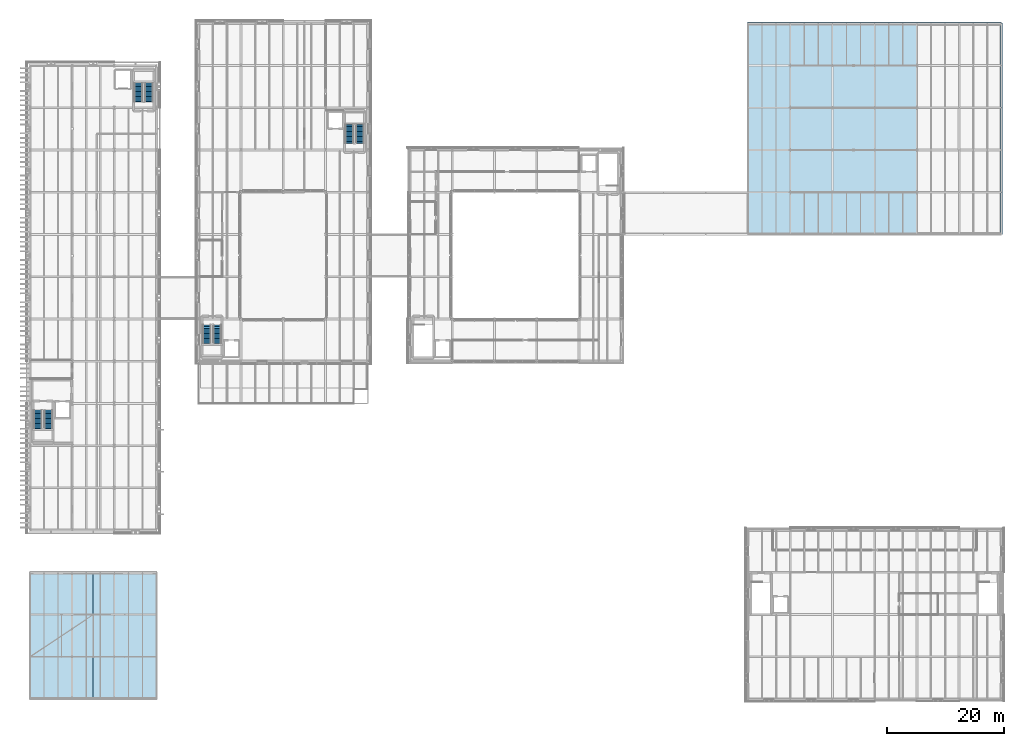
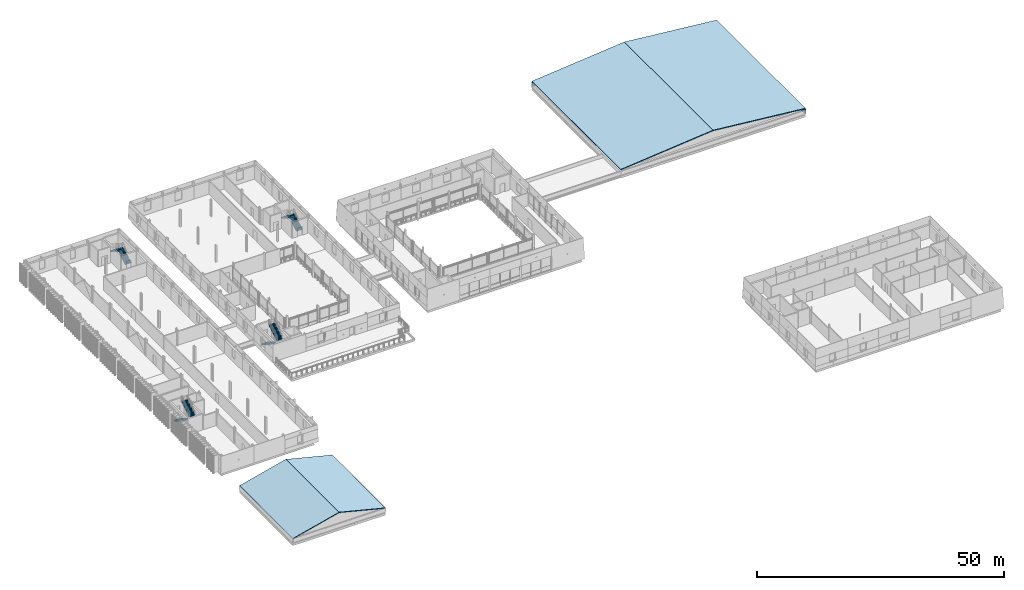
# One storey, part 67 of 91: 8 stair flights, 4 roofs, 2 walls, 4 elements without a shape of their own.
"""IFC4 building model written with IfcOpenShell, lengths in metres."""

import ifcopenshell
import ifcopenshell.guid

model = None  # the IFC model being written
_history = None  # IfcOwnerHistory: only IFC2X3 demands one
_inside = {}  # id of a spatial element -> (the spatial element, [elements in it])
_under = {}  # id of a project, library or spatial element -> (it, [spatial elements below it])
_declared = {}  # id of a project -> (the project, [libraries it declares])
_typed = {}  # id of a type object -> (the type object, [elements of that type])
_made_of = {}  # id of a material, layer set ... -> (it, [elements and type objects made of it])


def new_model(schema):
    """Start an empty IFC model of exactly this schema.

    Asked for "IFC4X3", IfcOpenShell would pick the latest addendum, in which some entities
    have other attributes; the version numbers below select the first issue.
    IFC2X3 requires an IfcOwnerHistory on every rooted entity: one is made here for all.
    """
    global model, _history
    if schema == "IFC4X3":
        model = ifcopenshell.file(schema_version=(4, 3, 0, 0))
    else:
        model = ifcopenshell.file(schema=schema)
    _inside.clear()
    _under.clear()
    _declared.clear()
    _typed.clear()
    _made_of.clear()
    _history = None
    if model.schema == "IFC2X3":
        org = make("IfcOrganization", Name="unknown")
        user = make(
            "IfcPersonAndOrganization",
            ThePerson=make("IfcPerson", FamilyName="unknown"),
            TheOrganization=org,
        )
        app = make(
            "IfcApplication",
            ApplicationDeveloper=org,
            Version="unknown",
            ApplicationFullName="unknown",
            ApplicationIdentifier="unknown",
        )
        _history = make(
            "IfcOwnerHistory",
            OwningUser=user,
            OwningApplication=app,
            ChangeAction="ADDED",
            CreationDate=0,
        )
    return model


def make(cls, **values):
    """One entity of the class cls with the attributes given. An attribute that is None is left unset."""
    return model.create_entity(
        cls, **{name: value for name, value in values.items() if value is not None}
    )


def rooted(cls, **values):
    """An entity with a GlobalId (a new one), such as an element, a storey or a relation."""
    return make(cls, GlobalId=ifcopenshell.guid.new(), OwnerHistory=_history, **values)


def si_unit(unit_type, name, prefix=None):
    """IfcSIUnit, for example si_unit("LENGTHUNIT", "METRE", prefix="MILLI")."""
    return make("IfcSIUnit", UnitType=unit_type, Prefix=prefix, Name=name)


def assignment(units):
    """IfcUnitAssignment: the units of a project."""
    return None if units is None else make("IfcUnitAssignment", Units=units)


def point(xyz):
    """IfcCartesianPoint."""
    return None if xyz is None else make("IfcCartesianPoint", Coordinates=xyz)


def direction(xyz):
    """IfcDirection."""
    return None if xyz is None else make("IfcDirection", DirectionRatios=xyz)


def frame(location, z_axis=None, x_axis=None):
    """IfcAxis2Placement3D, a coordinate frame: its origin and axes. An axis left out is left unset."""
    return make(
        "IfcAxis2Placement3D",
        Location=point(location),
        Axis=direction(z_axis),
        RefDirection=direction(x_axis),
    )


def frame_2d(location, x_axis=None):
    """IfcAxis2Placement2D, a coordinate frame in the plane: its origin and x axis."""
    return make(
        "IfcAxis2Placement2D", Location=point(location), RefDirection=direction(x_axis)
    )


def origin():
    """The frame at (0, 0, 0) with its axes left unset."""
    return frame((0.0, 0.0, 0.0))


def place(relative_to, where):
    """IfcLocalPlacement: puts the frame where relative to a parent placement (None: the world)."""
    return make(
        "IfcLocalPlacement", PlacementRelTo=relative_to, RelativePlacement=where
    )


def context(
    kind, dimensions, precision=None, world=None, true_north=None, identifier=None
):
    """IfcGeometricRepresentationContext, for example the 3D "Model" context."""
    return make(
        "IfcGeometricRepresentationContext",
        ContextIdentifier=identifier,
        ContextType=kind,
        CoordinateSpaceDimension=dimensions,
        Precision=precision,
        WorldCoordinateSystem=world,
        TrueNorth=true_north,
    )


def subcontext(parent, identifier, kind, view, scale=None):
    """IfcGeometricRepresentationSubContext, for example "Body" below "Model"."""
    return make(
        "IfcGeometricRepresentationSubContext",
        ContextIdentifier=identifier,
        ContextType=kind,
        ParentContext=parent,
        TargetScale=scale,
        TargetView=view,
    )


def project(units=None, contexts=None):
    """IfcProject with its units and contexts."""
    return rooted(
        "IfcProject",
        Name="project",
        RepresentationContexts=contexts,
        UnitsInContext=assignment(units),
    )


def spatial(cls, under=None, at=None, **own):
    """A site, building, storey or space (cls), placed at a placement, below another one or the project."""
    s = rooted(cls, ObjectPlacement=at, **own)
    if under is not None:
        _under.setdefault(under.id(), (under, []))[1].append(s)
    return s


def polyline(points):
    """IfcPolyline through the points."""
    return make("IfcPolyline", Points=[point(p) for p in points])


def profile(cls, at=None, kind="AREA", **sizes):
    """A parametric profile (cls). Its sizes go by their IFC names, for example OverallWidth=200.0."""
    return make(cls, ProfileType=kind, Position=at, **sizes)


def rectangle(**sizes):
    """IfcRectangleProfileDef."""
    return profile("IfcRectangleProfileDef", **sizes)


def outline(outer, holes=None, kind="AREA"):
    """IfcArbitraryClosedProfileDef: a profile drawn as a closed curve; with holes, ...WithVoids."""
    if holes is None:
        return make("IfcArbitraryClosedProfileDef", ProfileType=kind, OuterCurve=outer)
    return make(
        "IfcArbitraryProfileDefWithVoids",
        ProfileType=kind,
        OuterCurve=outer,
        InnerCurves=holes,
    )


def extrude(swept, where, along, depth):
    """IfcExtrudedAreaSolid: the profile swept, set in the frame where, extruded along a direction by depth."""
    return make(
        "IfcExtrudedAreaSolid",
        SweptArea=swept,
        Position=where,
        ExtrudedDirection=direction(along),
        Depth=depth,
    )


def shape(context_of_items, identifier, shape_type, items):
    """IfcShapeRepresentation: the items that make up one representation, for example the "Body"."""
    return make(
        "IfcShapeRepresentation",
        ContextOfItems=context_of_items,
        RepresentationIdentifier=identifier,
        RepresentationType=shape_type,
        Items=items,
    )


def material(Name=None, Category=None):
    """IfcMaterial."""
    return make("IfcMaterial", Name=Name, Category=Category)


def layer(
    of_material, thickness, ventilated=None, Name=None, Category=None, Priority=None
):
    """IfcMaterialLayer: one layer of a wall or slab, of a material (None: an air gap)."""
    return make(
        "IfcMaterialLayer",
        Material=of_material,
        LayerThickness=thickness,
        IsVentilated=ventilated,
        Name=Name,
        Category=Category,
        Priority=Priority,
    )


def layer_set(layers, Name=None):
    """IfcMaterialLayerSet."""
    return make("IfcMaterialLayerSet", MaterialLayers=layers, LayerSetName=Name)


def made_of(thing, what):
    """Note that an element or type object is made of a material, layer set ...; save() writes the relation."""
    if what is not None:
        _made_of.setdefault(what.id(), (what, []))[1].append(thing)
    return thing


def type_object(cls, material=None, **own):
    """A type object (cls), such as IfcWallType, which elements share."""
    return made_of(rooted(cls, **own), material)


def element(
    cls,
    number,
    at=None,
    inside=None,
    cuts=None,
    type_object=None,
    material=None,
    context=None,
    identifier="Body",
    shape_type=None,
    held_by="IfcProductDefinitionShape",
    body=None,
    shapes=None,
    **own,
):
    """One element of the class cls, such as IfcWall. Its Tag is "e" and its number.

    at: its placement. inside: the storey or other place that contains it. cuts: it is an
    opening in that element (IfcRelVoidsElement). A single representation is given by context,
    identifier, shape_type and body (its items); several are given by shapes. held_by: the class
    of the entity that holds the representations. save() writes the other relations.
    """
    e = rooted(cls, Tag="e%d" % number, ObjectPlacement=at, **own)
    if body is not None:
        shapes = [shape(context, identifier, shape_type, body)]
    if shapes is not None:
        e.Representation = make(held_by, Representations=shapes)
    if inside is not None:
        _inside.setdefault(inside.id(), (inside, []))[1].append(e)
    if cuts is not None:
        rooted(
            "IfcRelVoidsElement", RelatingBuildingElement=cuts, RelatedOpeningElement=e
        )
    if type_object is not None:
        _typed.setdefault(type_object.id(), (type_object, []))[1].append(e)
    return made_of(e, material)


def aggregate(whole, parts):
    """IfcRelAggregates: a whole, such as a stair, and the parts it consists of."""
    return rooted("IfcRelAggregates", RelatingObject=whole, RelatedObjects=parts)


def save(model, path):
    """Write the relations noted so far, then the file.

    IfcRelAggregates (storeys below a building ...), IfcRelContainedInSpatialStructure (elements
    in a storey), IfcRelDefinesByType, IfcRelAssociatesMaterial and IfcRelDeclares: one each for
    every whole, place, type object, material and project.
    """
    for whole, parts in _under.values():
        aggregate(whole, parts)
    for where, things in _inside.values():
        rooted(
            "IfcRelContainedInSpatialStructure",
            RelatedElements=things,
            RelatingStructure=where,
        )
    for kind, things in _typed.values():
        rooted("IfcRelDefinesByType", RelatedObjects=things, RelatingType=kind)
    for what, things in _made_of.values():
        rooted("IfcRelAssociatesMaterial", RelatedObjects=things, RelatingMaterial=what)
    for by, libraries in _declared.values():
        rooted("IfcRelDeclares", RelatingContext=by, RelatedDefinitions=libraries)
    model.write(path)


model = new_model("IFC4")

# Units and contexts
model_context = context("Model", 3, precision=1e-05, world=origin(), true_north=direction((0.0, 1.0)))
body_context = subcontext(model_context, "Body", "Model", "MODEL_VIEW")
ifc_project = project(units=[si_unit("LENGTHUNIT", "METRE"), si_unit("AREAUNIT", "SQUARE_METRE"), si_unit("VOLUMEUNIT", "CUBIC_METRE"), si_unit("PLANEANGLEUNIT", "RADIAN"), si_unit("MASSUNIT", "GRAM", prefix="KILO")], contexts=[model_context])

# Site, building, storey
site_placement = place(None, origin())
site = spatial("IfcSite", under=ifc_project, at=site_placement, CompositionType="ELEMENT")
building_placement = place(site_placement, origin())
building = spatial("IfcBuilding", under=site, at=building_placement, Name="Narikvali Park Central Library", CompositionType="ELEMENT")
storey_placement = place(building_placement, frame((0.0, 0.0, 14.39990234375)))
storey = spatial("IfcBuildingStorey", under=building, at=storey_placement, Name="L03", CompositionType="ELEMENT", Elevation=14.39990234375)

# Walls
ifc_material_1 = material(Name="White Honed Limestone over Concrete C35/45", Category="masonry")
ifc_layer_1 = layer(ifc_material_1, 0.300048828125, Name="White Honed Limestone over Concrete C35/45")
ifc_layer_set_1 = layer_set([ifc_layer_1], Name="White Honed Limestone over Concrete C35/45")
wall_type = type_object("IfcWallType", Name="Limestone Coping Parapet Wall 300", PredefinedType="PARAPET", material=ifc_layer_set_1)
wall_1_placement = place(storey_placement, frame((165.60009765625, 79.199951171875, 0.0), z_axis=(0.0, 0.0, 1.0), x_axis=(0.0, 1.0, 0.0)))
element("IfcWall", 1, at=wall_1_placement, inside=storey, type_object=wall_type, Name="V3 L03 Roof Limestone Parapet E", PredefinedType="PARAPET", context=body_context, shape_type="SweptSolid", body=[
    extrude(rectangle(XDim=36.0, YDim=0.300048828125, at=frame_2d((18.0, 0.0))), origin(), (0.0, 0.0, 1.0), 0.9501953125),
])
wall_2_placement = place(storey_placement, frame((165.60009765625, 115.199951171875, 0.0), z_axis=(0.0, 0.0, 1.0), x_axis=(-1.0, 0.0, 0.0)))
element("IfcWall", 2, at=wall_2_placement, inside=storey, type_object=wall_type, Name="V3 L03 Roof Limestone Parapet N", PredefinedType="PARAPET", context=body_context, shape_type="SweptSolid", body=[
    extrude(rectangle(XDim=43.2001953125, YDim=0.300048828125, at=frame_2d((21.60009765625, 0.0))), origin(), (0.0, 0.0, 1.0), 0.9501953125),
])

# Stair, stair flights
ifc_material_2 = material(Name="Concrete C35/45", Category="concrete")
stair_type = type_object("IfcStairType", Name="Core Enclosed Two-Flight Exit Stair", PredefinedType="HALF_TURN_STAIR", material=ifc_material_2)
stair_1_placement = place(storey_placement, origin())
stair_1 = element("IfcStair", 3, at=stair_1_placement, inside=storey, type_object=stair_type, Name="L03 Exit Stair ST-07", PredefinedType="HALF_TURN_STAIR")
ifc_material_3 = material(Name="Precast concrete C40/50", Category="concrete")
stair_flight_type = type_object("IfcStairFlightType", Name="Precast Concrete Stair Flight 1420", PredefinedType="STRAIGHT", material=ifc_material_3)
stair_flight_1_placement = place(storey_placement, frame((30.159912109375, 63.75, 0.0), z_axis=(0.0, 0.0, 1.0), x_axis=(0.0, -1.0, 0.0)))
stair_flight_1 = element("IfcStairFlight", 4, at=stair_flight_1_placement, type_object=stair_flight_type, Name="ST-07 flight 1", NumberOfRisers=12, NumberOfTreads=11, PredefinedType="STRAIGHT", RiserHeight=0.175, TreadLength=0.285, context=body_context, shape_type="SweptSolid", body=[
    extrude(outline(polyline([(-0.0400390625, -0.02490234375), (-0.0400390625, 0.0), (0.0, 0.0), (0.0, 0.175048828125), (0.284912109375, 0.175048828125), (0.284912109375, 0.35009765625), (0.570068359375, 0.35009765625), (0.570068359375, 0.52490234375), (0.85498046875, 0.52490234375), (0.85498046875, 0.699951171875), (1.139892578125, 0.699951171875), (1.139892578125, 0.875), (1.425048828125, 0.875), (1.425048828125, 1.050048828125), (1.7099609375, 1.050048828125), (1.7099609375, 1.22509765625), (1.9951171875, 1.22509765625), (1.9951171875, 1.39990234375), (2.280029296875, 1.39990234375), (2.280029296875, 1.574951171875), (2.56494140625, 1.574951171875), (2.56494140625, 1.75), (2.85009765625, 1.75), (2.85009765625, 1.925048828125), (3.135009765625, 1.925048828125), (3.135009765625, 2.10009765625), (3.179931640625, 2.10009765625), (3.179931640625, 1.7138671875), (3.135009765625, 1.7138671875), (0.34375, -0.02490234375), (-0.0400390625, -0.02490234375)])), frame((0.0, 0.7099609375, 0.0), z_axis=(0.0, -1.0, 0.0), x_axis=(1.0, 0.0, 0.0)), (0.0, 0.0, 1.0), 1.419921875),
])
stair_flight_2_placement = place(storey_placement, frame((31.93994140625, 60.614990234375, 2.10009765625), z_axis=(0.0, 0.0, 1.0), x_axis=(0.0, 1.0, 0.0)))
stair_flight_2 = element("IfcStairFlight", 5, at=stair_flight_2_placement, type_object=stair_flight_type, Name="ST-07 flight 2", NumberOfRisers=12, NumberOfTreads=11, PredefinedType="STRAIGHT", RiserHeight=0.175, TreadLength=0.285, context=body_context, shape_type="SweptSolid", body=[
    extrude(outline(polyline([(-0.0400390625, -0.02490234375), (-0.0400390625, 0.0), (0.0, 0.0), (0.0, 0.175048828125), (0.284912109375, 0.175048828125), (0.284912109375, 0.35009765625), (0.570068359375, 0.35009765625), (0.570068359375, 0.52490234375), (0.85498046875, 0.52490234375), (0.85498046875, 0.699951171875), (1.139892578125, 0.699951171875), (1.139892578125, 0.875), (1.425048828125, 0.875), (1.425048828125, 1.050048828125), (1.7099609375, 1.050048828125), (1.7099609375, 1.22509765625), (1.9951171875, 1.22509765625), (1.9951171875, 1.39990234375), (2.280029296875, 1.39990234375), (2.280029296875, 1.574951171875), (2.56494140625, 1.574951171875), (2.56494140625, 1.75), (2.85009765625, 1.75), (2.85009765625, 1.925048828125), (3.135009765625, 1.925048828125), (3.135009765625, 2.10009765625), (3.179931640625, 2.10009765625), (3.179931640625, 1.7138671875), (3.135009765625, 1.7138671875), (0.34375, -0.02490234375), (-0.0400390625, -0.02490234375)])), frame((0.0, 0.7099609375, 0.0), z_axis=(0.0, -1.0, 0.0), x_axis=(1.0, 0.0, 0.0)), (0.0, 0.0, 1.0), 1.419921875),
])
aggregate(stair_1, [stair_flight_1, stair_flight_2])

stair_2_placement = place(storey_placement, origin())
stair_2 = element("IfcStair", 6, at=stair_2_placement, inside=storey, type_object=stair_type, Name="L03 Exit Stair ST-08", PredefinedType="HALF_TURN_STAIR")
stair_flight_3_placement = place(storey_placement, frame((56.239990234375, 94.75, 0.0), z_axis=(0.0, 0.0, 1.0), x_axis=(0.0, 1.0, 0.0)))
stair_flight_3 = element("IfcStairFlight", 7, at=stair_flight_3_placement, type_object=stair_flight_type, Name="ST-08 flight 1", NumberOfRisers=12, NumberOfTreads=11, PredefinedType="STRAIGHT", RiserHeight=0.175, TreadLength=0.285, context=body_context, shape_type="SweptSolid", body=[
    extrude(outline(polyline([(-0.0400390625, -0.02490234375), (-0.0400390625, 0.0), (0.0, 0.0), (0.0, 0.175048828125), (0.284912109375, 0.175048828125), (0.284912109375, 0.35009765625), (0.570068359375, 0.35009765625), (0.570068359375, 0.52490234375), (0.85498046875, 0.52490234375), (0.85498046875, 0.699951171875), (1.139892578125, 0.699951171875), (1.139892578125, 0.875), (1.425048828125, 0.875), (1.425048828125, 1.050048828125), (1.7099609375, 1.050048828125), (1.7099609375, 1.22509765625), (1.9951171875, 1.22509765625), (1.9951171875, 1.39990234375), (2.280029296875, 1.39990234375), (2.280029296875, 1.574951171875), (2.56494140625, 1.574951171875), (2.56494140625, 1.75), (2.85009765625, 1.75), (2.85009765625, 1.925048828125), (3.135009765625, 1.925048828125), (3.135009765625, 2.10009765625), (3.179931640625, 2.10009765625), (3.179931640625, 1.7138671875), (3.135009765625, 1.7138671875), (0.34375, -0.02490234375), (-0.0400390625, -0.02490234375)])), frame((0.0, 0.7099609375, 0.0), z_axis=(0.0, -1.0, 0.0), x_axis=(1.0, 0.0, 0.0)), (0.0, 0.0, 1.0), 1.419921875),
])
stair_flight_4_placement = place(storey_placement, frame((54.4599609375, 97.885009765625, 2.10009765625), z_axis=(0.0, 0.0, 1.0), x_axis=(0.0, -1.0, 0.0)))
stair_flight_4 = element("IfcStairFlight", 8, at=stair_flight_4_placement, type_object=stair_flight_type, Name="ST-08 flight 2", NumberOfRisers=12, NumberOfTreads=11, PredefinedType="STRAIGHT", RiserHeight=0.175, TreadLength=0.285, context=body_context, shape_type="SweptSolid", body=[
    extrude(outline(polyline([(-0.0400390625, -0.02490234375), (-0.0400390625, 0.0), (0.0, 0.0), (0.0, 0.175048828125), (0.284912109375, 0.175048828125), (0.284912109375, 0.35009765625), (0.570068359375, 0.35009765625), (0.570068359375, 0.52490234375), (0.85498046875, 0.52490234375), (0.85498046875, 0.699951171875), (1.139892578125, 0.699951171875), (1.139892578125, 0.875), (1.425048828125, 0.875), (1.425048828125, 1.050048828125), (1.7099609375, 1.050048828125), (1.7099609375, 1.22509765625), (1.9951171875, 1.22509765625), (1.9951171875, 1.39990234375), (2.280029296875, 1.39990234375), (2.280029296875, 1.574951171875), (2.56494140625, 1.574951171875), (2.56494140625, 1.75), (2.85009765625, 1.75), (2.85009765625, 1.925048828125), (3.135009765625, 1.925048828125), (3.135009765625, 2.10009765625), (3.179931640625, 2.10009765625), (3.179931640625, 1.7138671875), (3.135009765625, 1.7138671875), (0.34375, -0.02490234375), (-0.0400390625, -0.02490234375)])), frame((0.0, 0.7099609375, 0.0), z_axis=(0.0, -1.0, 0.0), x_axis=(1.0, 0.0, 0.0)), (0.0, 0.0, 1.0), 1.419921875),
])
aggregate(stair_2, [stair_flight_3, stair_flight_4])

stair_3_placement = place(storey_placement, origin())
stair_3 = element("IfcStair", 9, at=stair_3_placement, inside=storey, type_object=stair_type, Name="L03 Exit Stair ST-09", PredefinedType="HALF_TURN_STAIR")
stair_flight_5_placement = place(storey_placement, frame((1.360107421875, 49.25, 0.0), z_axis=(0.0, 0.0, 1.0), x_axis=(0.0, -1.0, 0.0)))
stair_flight_5 = element("IfcStairFlight", 10, at=stair_flight_5_placement, type_object=stair_flight_type, Name="ST-09 flight 1", NumberOfRisers=12, NumberOfTreads=11, PredefinedType="STRAIGHT", RiserHeight=0.175, TreadLength=0.285, context=body_context, shape_type="SweptSolid", body=[
    extrude(outline(polyline([(-0.0400390625, -0.02490234375), (-0.0400390625, 0.0), (0.0, 0.0), (0.0, 0.175048828125), (0.284912109375, 0.175048828125), (0.284912109375, 0.35009765625), (0.570068359375, 0.35009765625), (0.570068359375, 0.52490234375), (0.85498046875, 0.52490234375), (0.85498046875, 0.699951171875), (1.139892578125, 0.699951171875), (1.139892578125, 0.875), (1.425048828125, 0.875), (1.425048828125, 1.050048828125), (1.7099609375, 1.050048828125), (1.7099609375, 1.22509765625), (1.9951171875, 1.22509765625), (1.9951171875, 1.39990234375), (2.280029296875, 1.39990234375), (2.280029296875, 1.574951171875), (2.56494140625, 1.574951171875), (2.56494140625, 1.75), (2.85009765625, 1.75), (2.85009765625, 1.925048828125), (3.135009765625, 1.925048828125), (3.135009765625, 2.10009765625), (3.179931640625, 2.10009765625), (3.179931640625, 1.7138671875), (3.135009765625, 1.7138671875), (0.34375, -0.02490234375), (-0.0400390625, -0.02490234375)])), frame((0.0, 0.7099609375, 0.0), z_axis=(0.0, -1.0, 0.0), x_axis=(1.0, 0.0, 0.0)), (0.0, 0.0, 1.0), 1.419921875),
])
stair_flight_6_placement = place(storey_placement, frame((3.139892578125, 46.114990234375, 2.10009765625), z_axis=(0.0, 0.0, 1.0), x_axis=(0.0, 1.0, 0.0)))
stair_flight_6 = element("IfcStairFlight", 11, at=stair_flight_6_placement, type_object=stair_flight_type, Name="ST-09 flight 2", NumberOfRisers=12, NumberOfTreads=11, PredefinedType="STRAIGHT", RiserHeight=0.175, TreadLength=0.285, context=body_context, shape_type="SweptSolid", body=[
    extrude(outline(polyline([(-0.0400390625, -0.02490234375), (-0.0400390625, 0.0), (0.0, 0.0), (0.0, 0.175048828125), (0.284912109375, 0.175048828125), (0.284912109375, 0.35009765625), (0.570068359375, 0.35009765625), (0.570068359375, 0.52490234375), (0.85498046875, 0.52490234375), (0.85498046875, 0.699951171875), (1.139892578125, 0.699951171875), (1.139892578125, 0.875), (1.425048828125, 0.875), (1.425048828125, 1.050048828125), (1.7099609375, 1.050048828125), (1.7099609375, 1.22509765625), (1.9951171875, 1.22509765625), (1.9951171875, 1.39990234375), (2.280029296875, 1.39990234375), (2.280029296875, 1.574951171875), (2.56494140625, 1.574951171875), (2.56494140625, 1.75), (2.85009765625, 1.75), (2.85009765625, 1.925048828125), (3.135009765625, 1.925048828125), (3.135009765625, 2.10009765625), (3.179931640625, 2.10009765625), (3.179931640625, 1.7138671875), (3.135009765625, 1.7138671875), (0.34375, -0.02490234375), (-0.0400390625, -0.02490234375)])), frame((0.0, 0.7099609375, 0.0), z_axis=(0.0, -1.0, 0.0), x_axis=(1.0, 0.0, 0.0)), (0.0, 0.0, 1.0), 1.419921875),
])
aggregate(stair_3, [stair_flight_5, stair_flight_6])

stair_4_placement = place(storey_placement, origin())
stair_4 = element("IfcStair", 12, at=stair_4_placement, inside=storey, type_object=stair_type, Name="L03 Exit Stair ST-10", PredefinedType="HALF_TURN_STAIR")
stair_flight_7_placement = place(storey_placement, frame((20.2900390625, 101.85009765625, 0.0), z_axis=(0.0, 0.0, 1.0), x_axis=(0.0, 1.0, 0.0)))
stair_flight_7 = element("IfcStairFlight", 13, at=stair_flight_7_placement, type_object=stair_flight_type, Name="ST-10 flight 1", NumberOfRisers=12, NumberOfTreads=11, PredefinedType="STRAIGHT", RiserHeight=0.175, TreadLength=0.285, context=body_context, shape_type="SweptSolid", body=[
    extrude(outline(polyline([(-0.0400390625, -0.02490234375), (-0.0400390625, 0.0), (0.0, 0.0), (0.0, 0.175048828125), (0.284912109375, 0.175048828125), (0.284912109375, 0.35009765625), (0.570068359375, 0.35009765625), (0.570068359375, 0.52490234375), (0.85498046875, 0.52490234375), (0.85498046875, 0.699951171875), (1.139892578125, 0.699951171875), (1.139892578125, 0.875), (1.425048828125, 0.875), (1.425048828125, 1.050048828125), (1.7099609375, 1.050048828125), (1.7099609375, 1.22509765625), (1.9951171875, 1.22509765625), (1.9951171875, 1.39990234375), (2.280029296875, 1.39990234375), (2.280029296875, 1.574951171875), (2.56494140625, 1.574951171875), (2.56494140625, 1.75), (2.85009765625, 1.75), (2.85009765625, 1.925048828125), (3.135009765625, 1.925048828125), (3.135009765625, 2.10009765625), (3.179931640625, 2.10009765625), (3.179931640625, 1.7138671875), (3.135009765625, 1.7138671875), (0.34375, -0.02490234375), (-0.0400390625, -0.02490234375)])), frame((0.0, 0.7099609375, 0.0), z_axis=(0.0, -1.0, 0.0), x_axis=(1.0, 0.0, 0.0)), (0.0, 0.0, 1.0), 1.419921875),
])
stair_flight_8_placement = place(storey_placement, frame((18.510009765625, 104.985107421875, 2.10009765625), z_axis=(0.0, 0.0, 1.0), x_axis=(0.0, -1.0, 0.0)))
stair_flight_8 = element("IfcStairFlight", 14, at=stair_flight_8_placement, type_object=stair_flight_type, Name="ST-10 flight 2", NumberOfRisers=12, NumberOfTreads=11, PredefinedType="STRAIGHT", RiserHeight=0.175, TreadLength=0.285, context=body_context, shape_type="SweptSolid", body=[
    extrude(outline(polyline([(-0.0400390625, -0.02490234375), (-0.0400390625, 0.0), (0.0, 0.0), (0.0, 0.175048828125), (0.284912109375, 0.175048828125), (0.284912109375, 0.35009765625), (0.570068359375, 0.35009765625), (0.570068359375, 0.52490234375), (0.85498046875, 0.52490234375), (0.85498046875, 0.699951171875), (1.139892578125, 0.699951171875), (1.139892578125, 0.875), (1.425048828125, 0.875), (1.425048828125, 1.050048828125), (1.7099609375, 1.050048828125), (1.7099609375, 1.22509765625), (1.9951171875, 1.22509765625), (1.9951171875, 1.39990234375), (2.280029296875, 1.39990234375), (2.280029296875, 1.574951171875), (2.56494140625, 1.574951171875), (2.56494140625, 1.75), (2.85009765625, 1.75), (2.85009765625, 1.925048828125), (3.135009765625, 1.925048828125), (3.135009765625, 2.10009765625), (3.179931640625, 2.10009765625), (3.179931640625, 1.7138671875), (3.135009765625, 1.7138671875), (0.34375, -0.02490234375), (-0.0400390625, -0.02490234375)])), frame((0.0, 0.7099609375, 0.0), z_axis=(0.0, -1.0, 0.0), x_axis=(1.0, 0.0, 0.0)), (0.0, 0.0, 1.0), 1.419921875),
])
aggregate(stair_4, [stair_flight_7, stair_flight_8])

# Roofs
ifc_material_4 = material(Name="Standing-seam zinc over Steel S355 deck", Category="steel")
ifc_layer_2 = layer(ifc_material_4, 0.18994140625, Name="Standing-seam zinc over Steel S355 deck")
ifc_layer_set_2 = layer_set([ifc_layer_2], Name="Standing-seam zinc over Steel S355 deck")
roof_type_1 = type_object("IfcRoofType", Name="Auditorium Acoustic Gable Roof 190", PredefinedType="GABLE_ROOF", material=ifc_layer_set_2)
for number, where, z_axis, x_axis, name in (
    (15, (122.39990234375, 79.199951171875, 1.320068359375), (-0.098597181369, 0.0, 0.995127426929), (0.995127426929, 0.0, 0.098597181369), "Auditorium Pitched Zinc Roof West Slope"),
    (16, (144.0, 79.199951171875, 3.460205078125), (0.098597181369, 0.0, 0.995127426929), (0.995127426929, 0.0, -0.098597181369), "Auditorium Pitched Zinc Roof East Slope"),
):
    element("IfcRoof", number, at=place(storey_placement, frame(where, z_axis=z_axis, x_axis=x_axis)), inside=storey, type_object=roof_type_1, Name=name, PredefinedType="GABLE_ROOF", context=body_context, shape_type="SweptSolid", body=[
        extrude(outline(polyline([(0.0, 0.0), (21.70586105028959, 0.0), (21.70586105028959, 36.0), (0.0, 36.0), (0.0, 0.0)])), origin(), (0.0, 0.0, -1.0), 0.18994140625),
    ])
ifc_layer_3 = layer(ifc_material_4, 0.159912109375, Name="Standing-seam zinc over Steel S355 deck")
ifc_layer_set_3 = layer_set([ifc_layer_3], Name="Standing-seam zinc over Steel S355 deck")
roof_type_2 = type_object("IfcRoofType", Name="Standing Seam Zinc Hipped Roof 160", PredefinedType="HIP_ROOF", material=ifc_layer_set_3)
for number, where, z_axis, x_axis, name in (
    (17, (0.0, 0.0, 0.940185546875), (-0.243376453093, 0.0, 0.969931905898), (0.969931905898, 0.0, 0.243376453093), "V2 Standing Seam Zinc Roof West Slope"),
    (18, (10.800048828125, 0.0, 3.650146484375), (0.243376453093, 0.0, 0.969931905898), (0.969931905898, 0.0, -0.243376453093), "V2 Standing Seam Zinc Roof East Slope"),
):
    element("IfcRoof", number, at=place(storey_placement, frame(where, z_axis=z_axis, x_axis=x_axis)), inside=storey, type_object=roof_type_2, Name=name, PredefinedType="HIP_ROOF", context=body_context, shape_type="SweptSolid", body=[
        extrude(outline(polyline([(0.0, 0.0), (11.134852624649332, 0.0), (11.134852624649332, 21.600097656250004), (0.0, 21.600097656250004), (0.0, 0.0)])), origin(), (0.0, 0.0, -1.0), 0.159912109375),
    ])

save(model, "model.ifc")
